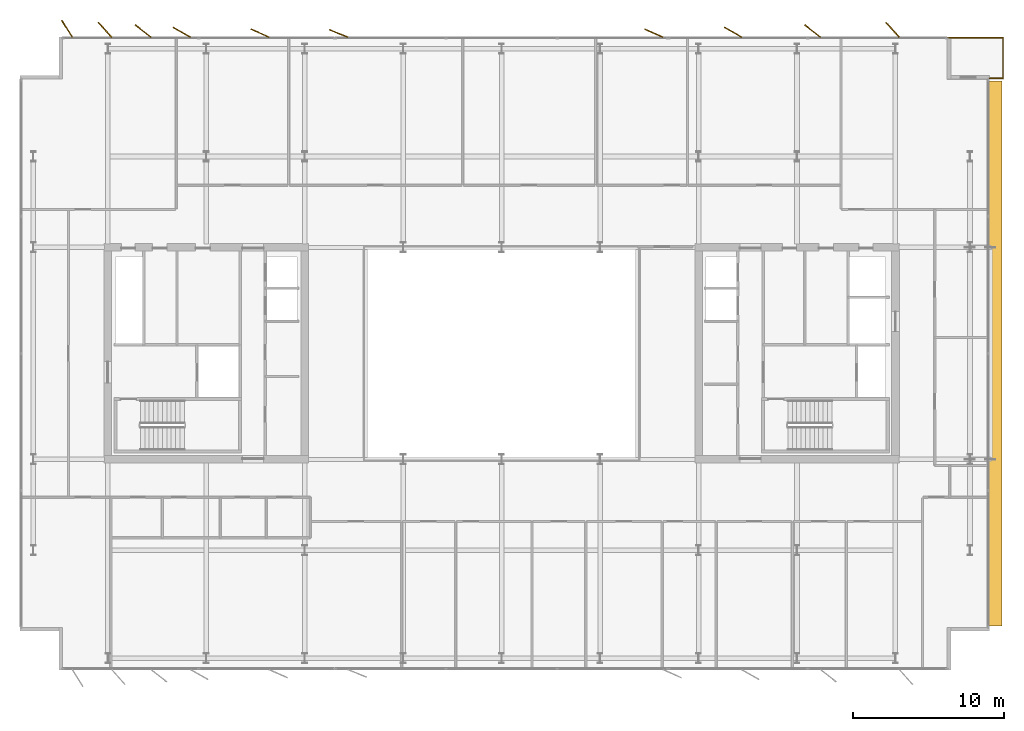
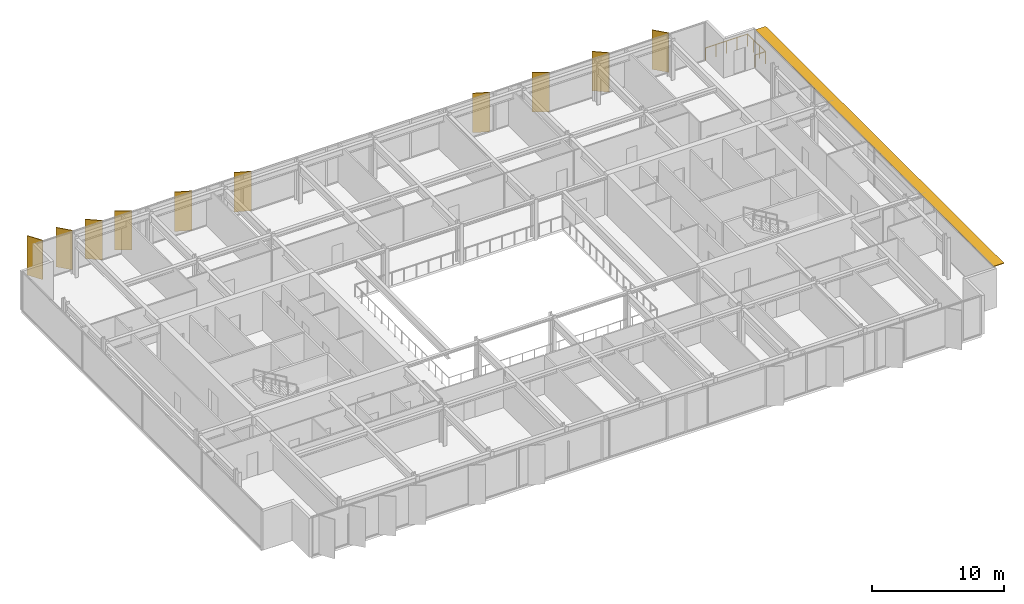
# One storey, part 19 of 19: 11 shading devices, 1 railing.
"""IFC4 building model written with IfcOpenShell, lengths in metres."""

import ifcopenshell
import ifcopenshell.guid

model = None  # the IFC model being written
_history = None  # IfcOwnerHistory: only IFC2X3 demands one
_inside = {}  # id of a spatial element -> (the spatial element, [elements in it])
_under = {}  # id of a project, library or spatial element -> (it, [spatial elements below it])
_declared = {}  # id of a project -> (the project, [libraries it declares])
_typed = {}  # id of a type object -> (the type object, [elements of that type])
_made_of = {}  # id of a material, layer set ... -> (it, [elements and type objects made of it])


def new_model(schema):
    """Start an empty IFC model of exactly this schema.

    Asked for "IFC4X3", IfcOpenShell would pick the latest addendum, in which some entities
    have other attributes; the version numbers below select the first issue.
    IFC2X3 requires an IfcOwnerHistory on every rooted entity: one is made here for all.
    """
    global model, _history
    if schema == "IFC4X3":
        model = ifcopenshell.file(schema_version=(4, 3, 0, 0))
    else:
        model = ifcopenshell.file(schema=schema)
    _inside.clear()
    _under.clear()
    _declared.clear()
    _typed.clear()
    _made_of.clear()
    _history = None
    if model.schema == "IFC2X3":
        org = make("IfcOrganization", Name="unknown")
        user = make(
            "IfcPersonAndOrganization",
            ThePerson=make("IfcPerson", FamilyName="unknown"),
            TheOrganization=org,
        )
        app = make(
            "IfcApplication",
            ApplicationDeveloper=org,
            Version="unknown",
            ApplicationFullName="unknown",
            ApplicationIdentifier="unknown",
        )
        _history = make(
            "IfcOwnerHistory",
            OwningUser=user,
            OwningApplication=app,
            ChangeAction="ADDED",
            CreationDate=0,
        )
    return model


def make(cls, **values):
    """One entity of the class cls with the attributes given. An attribute that is None is left unset."""
    return model.create_entity(
        cls, **{name: value for name, value in values.items() if value is not None}
    )


def rooted(cls, **values):
    """An entity with a GlobalId (a new one), such as an element, a storey or a relation."""
    return make(cls, GlobalId=ifcopenshell.guid.new(), OwnerHistory=_history, **values)


def si_unit(unit_type, name, prefix=None):
    """IfcSIUnit, for example si_unit("LENGTHUNIT", "METRE", prefix="MILLI")."""
    return make("IfcSIUnit", UnitType=unit_type, Prefix=prefix, Name=name)


def assignment(units):
    """IfcUnitAssignment: the units of a project."""
    return None if units is None else make("IfcUnitAssignment", Units=units)


def point(xyz):
    """IfcCartesianPoint."""
    return None if xyz is None else make("IfcCartesianPoint", Coordinates=xyz)


def direction(xyz):
    """IfcDirection."""
    return None if xyz is None else make("IfcDirection", DirectionRatios=xyz)


def frame(location, z_axis=None, x_axis=None):
    """IfcAxis2Placement3D, a coordinate frame: its origin and axes. An axis left out is left unset."""
    return make(
        "IfcAxis2Placement3D",
        Location=point(location),
        Axis=direction(z_axis),
        RefDirection=direction(x_axis),
    )


def frame_2d(location, x_axis=None):
    """IfcAxis2Placement2D, a coordinate frame in the plane: its origin and x axis."""
    return make(
        "IfcAxis2Placement2D", Location=point(location), RefDirection=direction(x_axis)
    )


def origin():
    """The frame at (0, 0, 0) with its axes left unset."""
    return frame((0.0, 0.0, 0.0))


def origin_2d():
    """The frame at (0, 0) in the plane with its x axis left unset."""
    return frame_2d((0.0, 0.0))


def place(relative_to, where):
    """IfcLocalPlacement: puts the frame where relative to a parent placement (None: the world)."""
    return make(
        "IfcLocalPlacement", PlacementRelTo=relative_to, RelativePlacement=where
    )


def context(
    kind, dimensions, precision=None, world=None, true_north=None, identifier=None
):
    """IfcGeometricRepresentationContext, for example the 3D "Model" context."""
    return make(
        "IfcGeometricRepresentationContext",
        ContextIdentifier=identifier,
        ContextType=kind,
        CoordinateSpaceDimension=dimensions,
        Precision=precision,
        WorldCoordinateSystem=world,
        TrueNorth=true_north,
    )


def subcontext(parent, identifier, kind, view, scale=None):
    """IfcGeometricRepresentationSubContext, for example "Body" below "Model"."""
    return make(
        "IfcGeometricRepresentationSubContext",
        ContextIdentifier=identifier,
        ContextType=kind,
        ParentContext=parent,
        TargetScale=scale,
        TargetView=view,
    )


def project(units=None, contexts=None):
    """IfcProject with its units and contexts."""
    return rooted(
        "IfcProject",
        Name="project",
        RepresentationContexts=contexts,
        UnitsInContext=assignment(units),
    )


def spatial(cls, under=None, at=None, **own):
    """A site, building, storey or space (cls), placed at a placement, below another one or the project."""
    s = rooted(cls, ObjectPlacement=at, **own)
    if under is not None:
        _under.setdefault(under.id(), (under, []))[1].append(s)
    return s


def polyline(points):
    """IfcPolyline through the points."""
    return make("IfcPolyline", Points=[point(p) for p in points])


def profile(cls, at=None, kind="AREA", **sizes):
    """A parametric profile (cls). Its sizes go by their IFC names, for example OverallWidth=200.0."""
    return make(cls, ProfileType=kind, Position=at, **sizes)


def rectangle(**sizes):
    """IfcRectangleProfileDef."""
    return profile("IfcRectangleProfileDef", **sizes)


def circle(**sizes):
    """IfcCircleProfileDef."""
    return profile("IfcCircleProfileDef", **sizes)


def outline(outer, holes=None, kind="AREA"):
    """IfcArbitraryClosedProfileDef: a profile drawn as a closed curve; with holes, ...WithVoids."""
    if holes is None:
        return make("IfcArbitraryClosedProfileDef", ProfileType=kind, OuterCurve=outer)
    return make(
        "IfcArbitraryProfileDefWithVoids",
        ProfileType=kind,
        OuterCurve=outer,
        InnerCurves=holes,
    )


def extrude(swept, where, along, depth):
    """IfcExtrudedAreaSolid: the profile swept, set in the frame where, extruded along a direction by depth."""
    return make(
        "IfcExtrudedAreaSolid",
        SweptArea=swept,
        Position=where,
        ExtrudedDirection=direction(along),
        Depth=depth,
    )


def shape(context_of_items, identifier, shape_type, items):
    """IfcShapeRepresentation: the items that make up one representation, for example the "Body"."""
    return make(
        "IfcShapeRepresentation",
        ContextOfItems=context_of_items,
        RepresentationIdentifier=identifier,
        RepresentationType=shape_type,
        Items=items,
    )


def material(Name=None, Category=None):
    """IfcMaterial."""
    return make("IfcMaterial", Name=Name, Category=Category)


def layer(
    of_material, thickness, ventilated=None, Name=None, Category=None, Priority=None
):
    """IfcMaterialLayer: one layer of a wall or slab, of a material (None: an air gap)."""
    return make(
        "IfcMaterialLayer",
        Material=of_material,
        LayerThickness=thickness,
        IsVentilated=ventilated,
        Name=Name,
        Category=Category,
        Priority=Priority,
    )


def layer_set(layers, Name=None):
    """IfcMaterialLayerSet."""
    return make("IfcMaterialLayerSet", MaterialLayers=layers, LayerSetName=Name)


def made_of(thing, what):
    """Note that an element or type object is made of a material, layer set ...; save() writes the relation."""
    if what is not None:
        _made_of.setdefault(what.id(), (what, []))[1].append(thing)
    return thing


def type_object(cls, material=None, **own):
    """A type object (cls), such as IfcWallType, which elements share."""
    return made_of(rooted(cls, **own), material)


def element(
    cls,
    number,
    at=None,
    inside=None,
    cuts=None,
    type_object=None,
    material=None,
    context=None,
    identifier="Body",
    shape_type=None,
    held_by="IfcProductDefinitionShape",
    body=None,
    shapes=None,
    **own,
):
    """One element of the class cls, such as IfcWall. Its Tag is "e" and its number.

    at: its placement. inside: the storey or other place that contains it. cuts: it is an
    opening in that element (IfcRelVoidsElement). A single representation is given by context,
    identifier, shape_type and body (its items); several are given by shapes. held_by: the class
    of the entity that holds the representations. save() writes the other relations.
    """
    e = rooted(cls, Tag="e%d" % number, ObjectPlacement=at, **own)
    if body is not None:
        shapes = [shape(context, identifier, shape_type, body)]
    if shapes is not None:
        e.Representation = make(held_by, Representations=shapes)
    if inside is not None:
        _inside.setdefault(inside.id(), (inside, []))[1].append(e)
    if cuts is not None:
        rooted(
            "IfcRelVoidsElement", RelatingBuildingElement=cuts, RelatedOpeningElement=e
        )
    if type_object is not None:
        _typed.setdefault(type_object.id(), (type_object, []))[1].append(e)
    return made_of(e, material)


def aggregate(whole, parts):
    """IfcRelAggregates: a whole, such as a stair, and the parts it consists of."""
    return rooted("IfcRelAggregates", RelatingObject=whole, RelatedObjects=parts)


def save(model, path):
    """Write the relations noted so far, then the file.

    IfcRelAggregates (storeys below a building ...), IfcRelContainedInSpatialStructure (elements
    in a storey), IfcRelDefinesByType, IfcRelAssociatesMaterial and IfcRelDeclares: one each for
    every whole, place, type object, material and project.
    """
    for whole, parts in _under.values():
        aggregate(whole, parts)
    for where, things in _inside.values():
        rooted(
            "IfcRelContainedInSpatialStructure",
            RelatedElements=things,
            RelatingStructure=where,
        )
    for kind, things in _typed.values():
        rooted("IfcRelDefinesByType", RelatedObjects=things, RelatingType=kind)
    for what, things in _made_of.values():
        rooted("IfcRelAssociatesMaterial", RelatedObjects=things, RelatingMaterial=what)
    for by, libraries in _declared.values():
        rooted("IfcRelDeclares", RelatingContext=by, RelatedDefinitions=libraries)
    model.write(path)


model = new_model("IFC4")

# Units and contexts
model_context = context("Model", 3, precision=1e-05, world=origin(), true_north=direction((0.0, 1.0)))
body_context = subcontext(model_context, "Body", "Model", "MODEL_VIEW")
ifc_project = project(units=[si_unit("LENGTHUNIT", "METRE"), si_unit("AREAUNIT", "SQUARE_METRE"), si_unit("VOLUMEUNIT", "CUBIC_METRE"), si_unit("PLANEANGLEUNIT", "RADIAN"), si_unit("MASSUNIT", "GRAM", prefix="KILO")], contexts=[model_context])

# Site, building, storey
site_placement = place(None, origin())
site = spatial("IfcSite", under=ifc_project, at=site_placement, CompositionType="ELEMENT")
building_placement = place(site_placement, origin())
building = spatial("IfcBuilding", under=site, at=building_placement, Name="Putna Gate Headquarters", CompositionType="ELEMENT")
storey_placement = place(building_placement, frame((0.0, 0.0, 267.0)))
storey = spatial("IfcBuildingStorey", under=building, at=storey_placement, Name="L67", CompositionType="ELEMENT", Elevation=267.0)

# Railing
ifc_material_1 = material(Name="Anodised bronze steel and laminated glass guardrail", Category="steel")
railing_type = type_object("IfcRailingType", Name="RAIL-TERR-GUARD-1150", PredefinedType="GUARDRAIL", material=ifc_material_1)
railing_placement = place(storey_placement, frame((71.215087890625, 44.159912109375, 0.0)))
element("IfcRailing", 1, at=railing_placement, inside=storey, type_object=railing_type, Name="L67 Spiral Sky Terrace Guardrail NE", PredefinedType="GUARDRAIL", context=body_context, shape_type="SweptSolid", body=[
    extrude(circle(Radius=0.02392578125, at=origin_2d()), frame((0.0, 0.0, 1.1259765625), z_axis=(1.0, 0.0, 0.0), x_axis=(0.0, 1.0, 0.0)), (0.0, 0.0, 1.0), 0.889892578125),
    extrude(circle(Radius=0.02392578125, at=origin_2d()), frame((0.889892578125, 0.0, 1.1259765625), z_axis=(0.0, 1.0, 0.0), x_axis=(-1.0, 0.0, 0.0)), (0.0, 0.0, 1.0), 2.68017578125),
    extrude(circle(Radius=0.02392578125, at=origin_2d()), frame((0.889892578125, 2.68017578125, 1.1259765625), z_axis=(-1.0, 0.0, 0.0), x_axis=(0.0, -1.0, 0.0)), (0.0, 0.0, 1.0), 3.68994140625),
    extrude(circle(Radius=0.02099609375, at=origin_2d()), origin(), (0.0, 0.0, 1.0), 1.101806640625),
    extrude(circle(Radius=0.02099609375, at=origin_2d()), frame((0.889892578125, 0.0, 0.0)), (0.0, 0.0, 1.0), 1.101806640625),
    extrude(circle(Radius=0.02099609375, at=origin_2d()), frame((0.889892578125, 0.893310546875, 0.0)), (0.0, 0.0, 1.0), 1.101806640625),
    extrude(circle(Radius=0.02099609375, at=origin_2d()), frame((0.889892578125, 1.786865234375, 0.0)), (0.0, 0.0, 1.0), 1.101806640625),
    extrude(circle(Radius=0.02099609375, at=origin_2d()), frame((0.889892578125, 2.68017578125, 0.0)), (0.0, 0.0, 1.0), 1.101806640625),
    extrude(circle(Radius=0.02099609375, at=origin_2d()), frame((-0.03271484375, 2.68017578125, 0.0)), (0.0, 0.0, 1.0), 1.101806640625),
    extrude(circle(Radius=0.02099609375, at=origin_2d()), frame((-0.955078125, 2.68017578125, 0.0)), (0.0, 0.0, 1.0), 1.101806640625),
    extrude(circle(Radius=0.02099609375, at=origin_2d()), frame((-1.87744140625, 2.68017578125, 0.0)), (0.0, 0.0, 1.0), 1.101806640625),
    extrude(circle(Radius=0.02099609375, at=origin_2d()), frame((-2.800048828125, 2.68017578125, 0.0)), (0.0, 0.0, 1.0), 1.101806640625),
])

# Shading devices
ifc_material_2 = material(Name="Anodised architectural bronze aluminium fin", Category="aluminium")
ifc_layer_1 = layer(ifc_material_2, 0.06494140625)
ifc_layer_set_1 = layer_set([ifc_layer_1], Name="Anodised architectural bronze aluminium fin")
shading_device_type_1 = type_object("IfcShadingDeviceType", Name="SHADE-BRONZE-FIN-1320", PredefinedType="USERDEFINED", material=ifc_layer_set_1)
for number, where, z_axis, x_axis, name in (
    (2, (10.2998046875, 47.434326171875, -0.02001953125), (0.0, 0.0, 1.0), (-0.530659123936, 0.847585331506, 0.0), "L67 Bronze Vertical Shading Fin N1"),
    (3, (12.808349609375, 47.365478515625, -0.02001953125), (0.0, 0.0, 1.0), (-0.669130606359, 0.743144825477, 0.0), "L67 Bronze Vertical Shading Fin N2"),
    (4, (15.330322265625, 47.28173828125, -0.02001953125), (0.0, 0.0, 1.0), (-0.787473187632, 0.616348909921, 0.0), "L67 Bronze Vertical Shading Fin N3"),
    (5, (17.876220703125, 47.201171875, -0.02001953125), (0.0, 0.0, 1.0), (-0.869322458298, 0.494245347472, 0.0), "L67 Bronze Vertical Shading Fin N4"),
    (6, (23.047119140625, 47.143310546875, -0.02001953125), (0.0, 0.0, 1.0), (-0.913687379856, 0.40641773078, 0.0), "L67 Bronze Vertical Shading Fin N5"),
    (7, (28.238037109375, 47.122314453125, -0.02001953125), (0.0, 0.0, 1.0), (-0.927183854567, 0.374606593416, 0.0), "L67 Bronze Vertical Shading Fin N6"),
    (8, (49.047119140625, 47.143310546875, -0.02001953125), (0.0, 0.0, 1.0), (-0.913687379856, 0.40641773078, 0.0), "L67 Bronze Vertical Shading Fin N7"),
    (9, (54.276123046875, 47.201171875, -0.02001953125), (0.0, 0.0, 1.0), (-0.869322458298, 0.494245347472, 0.0), "L67 Bronze Vertical Shading Fin N8"),
    (10, (59.5302734375, 47.28173828125, -0.02001953125), (0.0, 0.0, 1.0), (-0.787473187632, 0.616348909921, 0.0), "L67 Bronze Vertical Shading Fin N9"),
    (11, (64.808349609375, 47.365478515625, -0.02001953125), (0.0, 0.0, 1.0), (-0.669130606359, 0.743144825477, 0.0), "L67 Bronze Vertical Shading Fin N10"),
):
    element("IfcShadingDevice", number, at=place(storey_placement, frame(where, z_axis=z_axis, x_axis=x_axis)), inside=storey, type_object=shading_device_type_1, Name=name, ObjectType="FIN", PredefinedType="USERDEFINED", context=body_context, shape_type="SweptSolid", body=[
        extrude(rectangle(XDim=1.320068359375, YDim=0.06494140625, at=origin_2d()), origin(), (0.0, 0.0, 1.0), 3.6279296875),
    ])
ifc_material_3 = material(Name="Anodised architectural bronze sunshade blade", Category="aluminium")
ifc_layer_2 = layer(ifc_material_3, 0.06005859375)
ifc_layer_set_2 = layer_set([ifc_layer_2], Name="Anodised architectural bronze sunshade blade")
shading_device_type_2 = type_object("IfcShadingDeviceType", Name="SHADE-SAIL-BLADE-900", PredefinedType="USERDEFINED", material=ifc_layer_set_2)
shading_device_placement = place(storey_placement, frame((0.0, 0.0, 3.532958984375)))
element("IfcShadingDevice", 12, at=shading_device_placement, inside=storey, type_object=shading_device_type_2, Name="L67 East Sail Horizontal Bronze Sunshade Blade", ObjectType="SUNSHADE", PredefinedType="USERDEFINED", context=body_context, shape_type="SweptSolid", body=[
    extrude(outline(polyline([(71.135009765625, 8.0), (72.034912109375, 8.0), (72.034912109375, 44.0), (71.135009765625, 44.0), (71.135009765625, 8.0)])), origin(), (0.0, 0.0, 1.0), 0.06005859375),
])

save(model, "model.ifc")
